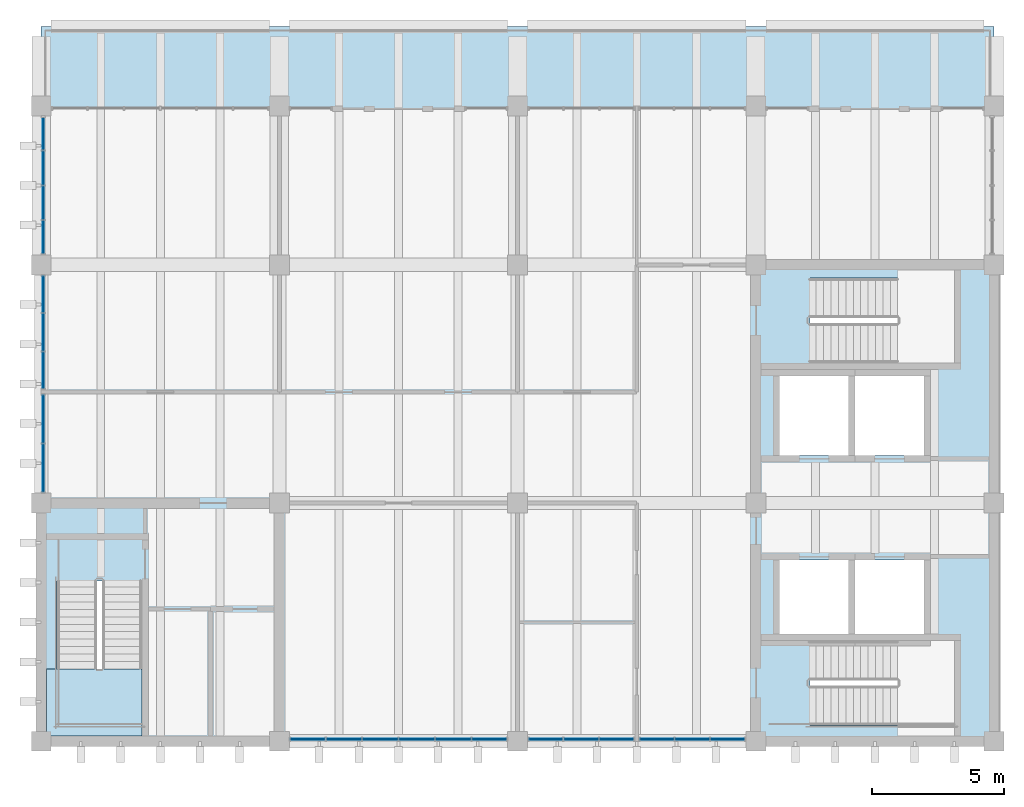
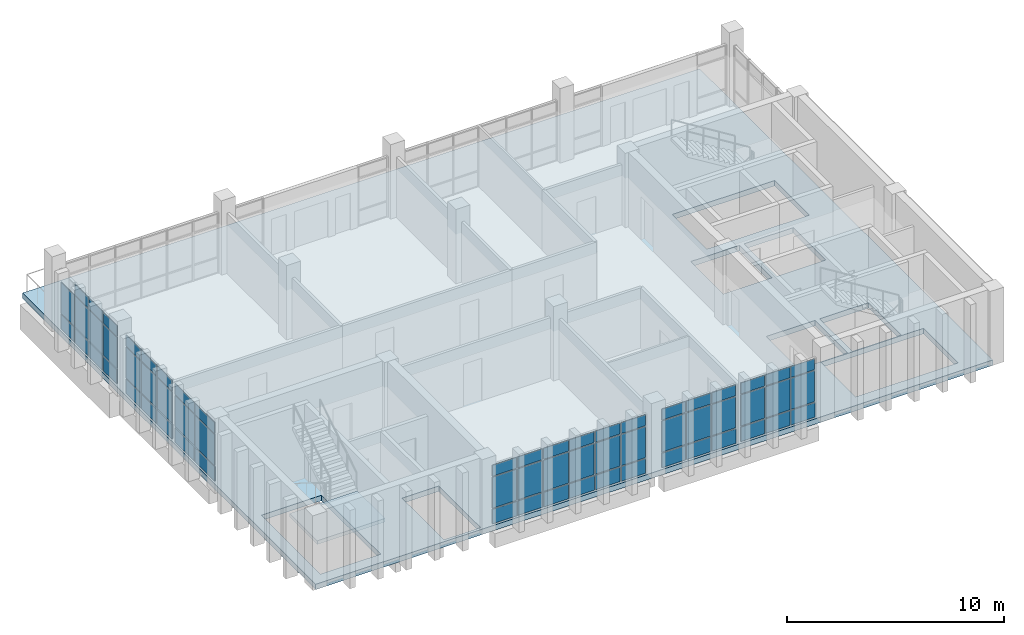
# One storey, part 7 of 15: 62 plates, 2 slabs, 7 elements without a shape of their own.
"""IFC4 building model written with IfcOpenShell, lengths in metres."""

from ifc_helpers import new_model, si_unit, direction, frame, origin, origin_2d, place, context, subcontext, project, spatial, polyline, rectangle, outline, extrude, material, layer, layer_set, type_object, element, aggregate, save


model = new_model("IFC4")

# Units and contexts
model_context = context("Model", 3, precision=1e-05, world=origin(), true_north=direction((0.0, 1.0)))
body_context = subcontext(model_context, "Body", "Model", "MODEL_VIEW")
ifc_project = project(units=[si_unit("LENGTHUNIT", "METRE"), si_unit("AREAUNIT", "SQUARE_METRE"), si_unit("VOLUMEUNIT", "CUBIC_METRE"), si_unit("PLANEANGLEUNIT", "RADIAN"), si_unit("MASSUNIT", "GRAM", prefix="KILO")], contexts=[model_context])

# Site, building, storey
site_placement = place(None, origin())
site = spatial("IfcSite", under=ifc_project, at=site_placement, CompositionType="ELEMENT")
building_placement = place(site_placement, origin())
building = spatial("IfcBuilding", under=site, at=building_placement, Name="Merrow Basin Faculty of Sciences", CompositionType="ELEMENT")
storey_placement = place(building_placement, frame((0.0, 0.0, 31.5)))
storey = spatial("IfcBuildingStorey", under=building, at=storey_placement, Name="L07", CompositionType="ELEMENT", Elevation=31.5)

# Slab
ifc_material_1 = material(Name="Concrete C40/50", Category="concrete")
ifc_layer_1 = layer(ifc_material_1, 0.300048828125)
ifc_layer_set_1 = layer_set([ifc_layer_1], Name="Floor slab 300 Concrete C40/50")
slab_type_1 = type_object("IfcSlabType", Name="Floor slab 300 Concrete C40/50", PredefinedType="FLOOR", material=ifc_layer_set_1)
slab_1_placement = place(storey_placement, frame((0.0, 0.0, -0.300048828125)))
element("IfcSlab", 1, at=slab_1_placement, inside=storey, type_object=slab_type_1, Name="SL11 floor L07 001", PredefinedType="FLOOR", context=body_context, shape_type="SweptSolid", body=[
    extrude(outline(polyline([(18.0, 169.0), (54.0, 169.0), (54.0, 142.0), (18.0, 142.0), (18.0, 169.0)]), holes=[polyline([(47.050048828125, 142.60009765625), (52.5, 142.60009765625), (52.5, 145.800048828125), (47.050048828125, 145.800048828125), (47.050048828125, 142.60009765625)]), polyline([(47.050048828125, 156.300048828125), (52.5, 156.300048828125), (52.5, 159.5), (47.050048828125, 159.5), (47.050048828125, 156.300048828125)]), polyline([(48.75, 145.85009765625), (51.35009765625, 145.85009765625), (51.35009765625, 148.85009765625), (48.75, 148.85009765625), (48.75, 145.85009765625)]), polyline([(48.75, 152.800048828125), (51.35009765625, 152.800048828125), (51.35009765625, 155.800048828125), (48.75, 155.800048828125), (48.75, 152.800048828125)]), polyline([(45.89990234375, 145.85009765625), (48.5, 145.85009765625), (48.5, 148.85009765625), (45.89990234375, 148.85009765625), (45.89990234375, 145.85009765625)]), polyline([(45.89990234375, 152.800048828125), (48.5, 152.800048828125), (48.5, 155.800048828125), (45.89990234375, 155.800048828125), (45.89990234375, 152.800048828125)]), polyline([(24.90087890625, 142.14990234375), (26.85009765625, 142.14990234375), (26.85009765625, 146.0), (24.90087890625, 146.0), (24.90087890625, 142.14990234375)]), polyline([(18.60009765625, 142.60009765625), (21.800048828125, 142.60009765625), (21.800048828125, 148.050048828125), (18.60009765625, 148.050048828125), (18.60009765625, 142.60009765625)])]), origin(), (0.0, 0.0, 1.0), 0.300048828125),
])

# Curtain wall, plates
ifc_material_2 = material(Name="Aluminium alloy 6063", Category="aluminium")
curtain_wall_type = type_object("IfcCurtainWallType", Name="Unitised curtain wall 160", PredefinedType="NOTDEFINED", material=ifc_material_2)
curtain_wall_1_placement = place(storey_placement, origin())
curtain_wall_1 = element("IfcCurtainWall", 2, at=curtain_wall_1_placement, inside=storey, type_object=curtain_wall_type, Name="W curtain wall L07 1", PredefinedType="NOTDEFINED")
ifc_material_3 = material(Name="Insulated aluminium spandrel panel", Category="aluminium")
ifc_layer_2 = layer(ifc_material_3, 0.052001953125)
ifc_layer_set_2 = layer_set([ifc_layer_2], Name="Insulated spandrel panel 52")
plate_type_1 = type_object("IfcPlateType", Name="Insulated spandrel panel 52", PredefinedType="CURTAIN_PANEL", material=ifc_layer_set_2)
plate_1_placement = place(storey_placement, frame((18.080078125, 152.327392578125, 0.06005859375), z_axis=(0.0, 0.0, 1.0), x_axis=(0.0, 1.0, 0.0)))
plate_1 = element("IfcPlate", 3, at=plate_1_placement, type_object=plate_type_1, Name="CW3 panel 1.1", PredefinedType="CURTAIN_PANEL", context=body_context, shape_type="SweptSolid", body=[
    extrude(rectangle(XDim=1.784912109375, YDim=0.052001953125, at=origin_2d()), origin(), (0.0, 0.0, 1.0), 0.81005859375),
])
plate_2_placement = place(storey_placement, frame((18.080078125, 154.172607421875, 0.06005859375), z_axis=(0.0, 0.0, 1.0), x_axis=(0.0, 1.0, 0.0)))
plate_2 = element("IfcPlate", 4, at=plate_2_placement, type_object=plate_type_1, Name="CW3 panel 2.1", PredefinedType="CURTAIN_PANEL", context=body_context, shape_type="SweptSolid", body=[
    extrude(rectangle(XDim=1.784912109375, YDim=0.052001953125, at=origin_2d()), origin(), (0.0, 0.0, 1.0), 0.81005859375),
])

curtain_wall_2_placement = place(storey_placement, origin())
curtain_wall_2 = element("IfcCurtainWall", 5, at=curtain_wall_2_placement, inside=storey, type_object=curtain_wall_type, Name="W curtain wall L07 2", PredefinedType="NOTDEFINED")
plate_3_placement = place(storey_placement, frame((18.080078125, 156.014892578125, 0.06005859375), z_axis=(0.0, 0.0, 1.0), x_axis=(0.0, 1.0, 0.0)))
plate_3 = element("IfcPlate", 6, at=plate_3_placement, type_object=plate_type_1, Name="CW3 panel 1.1", PredefinedType="CURTAIN_PANEL", context=body_context, shape_type="SweptSolid", body=[
    extrude(rectangle(XDim=1.360107421875, YDim=0.052001953125, at=origin_2d()), origin(), (0.0, 0.0, 1.0), 0.81005859375),
])
plate_4_placement = place(storey_placement, frame((18.080078125, 157.449951171875, 0.06005859375), z_axis=(0.0, 0.0, 1.0), x_axis=(0.0, 1.0, 0.0)))
plate_4 = element("IfcPlate", 7, at=plate_4_placement, type_object=plate_type_1, Name="CW3 panel 2.1", PredefinedType="CURTAIN_PANEL", context=body_context, shape_type="SweptSolid", body=[
    extrude(rectangle(XDim=1.389892578125, YDim=0.052001953125, at=origin_2d()), origin(), (0.0, 0.0, 1.0), 0.81005859375),
])
plate_5_placement = place(storey_placement, frame((18.080078125, 158.885009765625, 0.06005859375), z_axis=(0.0, 0.0, 1.0), x_axis=(0.0, 1.0, 0.0)))
plate_5 = element("IfcPlate", 8, at=plate_5_placement, type_object=plate_type_1, Name="CW3 panel 3.1", PredefinedType="CURTAIN_PANEL", context=body_context, shape_type="SweptSolid", body=[
    extrude(rectangle(XDim=1.360107421875, YDim=0.052001953125, at=origin_2d()), origin(), (0.0, 0.0, 1.0), 0.81005859375),
])

curtain_wall_3_placement = place(storey_placement, origin())
curtain_wall_3 = element("IfcCurtainWall", 9, at=curtain_wall_3_placement, inside=storey, type_object=curtain_wall_type, Name="W curtain wall L07 3", PredefinedType="NOTDEFINED")
plate_6_placement = place(storey_placement, frame((18.080078125, 161.046142578125, 0.06005859375), z_axis=(0.0, 0.0, 1.0), x_axis=(0.0, 1.0, 0.0)))
plate_6 = element("IfcPlate", 10, at=plate_6_placement, type_object=plate_type_1, Name="CW3 panel 1.1", PredefinedType="CURTAIN_PANEL", context=body_context, shape_type="SweptSolid", body=[
    extrude(rectangle(XDim=1.222412109375, YDim=0.052001953125, at=origin_2d()), origin(), (0.0, 0.0, 1.0), 0.81005859375),
])
plate_7_placement = place(storey_placement, frame((18.080078125, 162.34375, 0.06005859375), z_axis=(0.0, 0.0, 1.0), x_axis=(0.0, 1.0, 0.0)))
plate_7 = element("IfcPlate", 11, at=plate_7_placement, type_object=plate_type_1, Name="CW3 panel 2.1", PredefinedType="CURTAIN_PANEL", context=body_context, shape_type="SweptSolid", body=[
    extrude(rectangle(XDim=1.25244140625, YDim=0.052001953125, at=origin_2d()), origin(), (0.0, 0.0, 1.0), 0.81005859375),
])
plate_8_placement = place(storey_placement, frame((18.080078125, 163.65625, 0.06005859375), z_axis=(0.0, 0.0, 1.0), x_axis=(0.0, 1.0, 0.0)))
plate_8 = element("IfcPlate", 12, at=plate_8_placement, type_object=plate_type_1, Name="CW3 panel 3.1", PredefinedType="CURTAIN_PANEL", context=body_context, shape_type="SweptSolid", body=[
    extrude(rectangle(XDim=1.25244140625, YDim=0.052001953125, at=origin_2d()), origin(), (0.0, 0.0, 1.0), 0.81005859375),
])
plate_9_placement = place(storey_placement, frame((18.080078125, 164.953857421875, 0.06005859375), z_axis=(0.0, 0.0, 1.0), x_axis=(0.0, 1.0, 0.0)))
plate_9 = element("IfcPlate", 13, at=plate_9_placement, type_object=plate_type_1, Name="CW3 panel 4.1", PredefinedType="CURTAIN_PANEL", context=body_context, shape_type="SweptSolid", body=[
    extrude(rectangle(XDim=1.222412109375, YDim=0.052001953125, at=origin_2d()), origin(), (0.0, 0.0, 1.0), 0.81005859375),
])

curtain_wall_4_placement = place(storey_placement, origin())
curtain_wall_4 = element("IfcCurtainWall", 14, at=curtain_wall_4_placement, inside=storey, type_object=curtain_wall_type, Name="S curtain wall L07 1", PredefinedType="NOTDEFINED")
plate_10_placement = place(storey_placement, frame((28.077392578125, 142.080078125, 0.06005859375), z_axis=(0.0, 0.0, 1.0), x_axis=(1.0, 0.0, 0.0)))
plate_10 = element("IfcPlate", 15, at=plate_10_placement, type_object=plate_type_1, Name="CW3 panel 1.1", PredefinedType="CURTAIN_PANEL", context=body_context, shape_type="SweptSolid", body=[
    extrude(rectangle(XDim=1.284912109375, YDim=0.052001953125, at=origin_2d()), origin(), (0.0, 0.0, 1.0), 0.81005859375),
])
plate_11_placement = place(storey_placement, frame((29.4375, 142.080078125, 0.06005859375), z_axis=(0.0, 0.0, 1.0), x_axis=(1.0, 0.0, 0.0)))
plate_11 = element("IfcPlate", 16, at=plate_11_placement, type_object=plate_type_1, Name="CW3 panel 2.1", PredefinedType="CURTAIN_PANEL", context=body_context, shape_type="SweptSolid", body=[
    extrude(rectangle(XDim=1.31494140625, YDim=0.052001953125, at=origin_2d()), origin(), (0.0, 0.0, 1.0), 0.81005859375),
])
plate_12_placement = place(storey_placement, frame((30.8125, 142.080078125, 0.06005859375), z_axis=(0.0, 0.0, 1.0), x_axis=(1.0, 0.0, 0.0)))
plate_12 = element("IfcPlate", 17, at=plate_12_placement, type_object=plate_type_1, Name="CW3 panel 3.1", PredefinedType="CURTAIN_PANEL", context=body_context, shape_type="SweptSolid", body=[
    extrude(rectangle(XDim=1.31494140625, YDim=0.052001953125, at=origin_2d()), origin(), (0.0, 0.0, 1.0), 0.81005859375),
])
plate_13_placement = place(storey_placement, frame((32.1875, 142.080078125, 0.06005859375), z_axis=(0.0, 0.0, 1.0), x_axis=(1.0, 0.0, 0.0)))
plate_13 = element("IfcPlate", 18, at=plate_13_placement, type_object=plate_type_1, Name="CW3 panel 4.1", PredefinedType="CURTAIN_PANEL", context=body_context, shape_type="SweptSolid", body=[
    extrude(rectangle(XDim=1.31494140625, YDim=0.052001953125, at=origin_2d()), origin(), (0.0, 0.0, 1.0), 0.81005859375),
])
plate_14_placement = place(storey_placement, frame((33.5625, 142.080078125, 0.06005859375), z_axis=(0.0, 0.0, 1.0), x_axis=(1.0, 0.0, 0.0)))
plate_14 = element("IfcPlate", 19, at=plate_14_placement, type_object=plate_type_1, Name="CW3 panel 5.1", PredefinedType="CURTAIN_PANEL", context=body_context, shape_type="SweptSolid", body=[
    extrude(rectangle(XDim=1.31494140625, YDim=0.052001953125, at=origin_2d()), origin(), (0.0, 0.0, 1.0), 0.81005859375),
])
plate_15_placement = place(storey_placement, frame((34.922607421875, 142.080078125, 0.06005859375), z_axis=(0.0, 0.0, 1.0), x_axis=(1.0, 0.0, 0.0)))
plate_15 = element("IfcPlate", 20, at=plate_15_placement, type_object=plate_type_1, Name="CW3 panel 6.1", PredefinedType="CURTAIN_PANEL", context=body_context, shape_type="SweptSolid", body=[
    extrude(rectangle(XDim=1.284912109375, YDim=0.052001953125, at=origin_2d()), origin(), (0.0, 0.0, 1.0), 0.81005859375),
])

curtain_wall_5_placement = place(storey_placement, origin())
curtain_wall_5 = element("IfcCurtainWall", 21, at=curtain_wall_5_placement, inside=storey, type_object=curtain_wall_type, Name="S curtain wall L07 2", PredefinedType="NOTDEFINED")
plate_16_placement = place(storey_placement, frame((37.06494140625, 142.080078125, 0.06005859375), z_axis=(0.0, 0.0, 1.0), x_axis=(1.0, 0.0, 0.0)))
plate_16 = element("IfcPlate", 22, at=plate_16_placement, type_object=plate_type_1, Name="CW3 panel 1.1", PredefinedType="CURTAIN_PANEL", context=body_context, shape_type="SweptSolid", body=[
    extrude(rectangle(XDim=1.260009765625, YDim=0.052001953125, at=origin_2d()), origin(), (0.0, 0.0, 1.0), 0.81005859375),
])
plate_17_placement = place(storey_placement, frame((38.39990234375, 142.080078125, 0.06005859375), z_axis=(0.0, 0.0, 1.0), x_axis=(1.0, 0.0, 0.0)))
plate_17 = element("IfcPlate", 23, at=plate_17_placement, type_object=plate_type_1, Name="CW3 panel 2.1", PredefinedType="CURTAIN_PANEL", context=body_context, shape_type="SweptSolid", body=[
    extrude(rectangle(XDim=1.2900390625, YDim=0.052001953125, at=origin_2d()), origin(), (0.0, 0.0, 1.0), 0.81005859375),
])
plate_18_placement = place(storey_placement, frame((39.735107421875, 142.080078125, 0.06005859375), z_axis=(0.0, 0.0, 1.0), x_axis=(1.0, 0.0, 0.0)))
plate_18 = element("IfcPlate", 24, at=plate_18_placement, type_object=plate_type_1, Name="CW3 panel 3.1", PredefinedType="CURTAIN_PANEL", context=body_context, shape_type="SweptSolid", body=[
    extrude(rectangle(XDim=1.260009765625, YDim=0.052001953125, at=origin_2d()), origin(), (0.0, 0.0, 1.0), 0.81005859375),
])

curtain_wall_6_placement = place(storey_placement, origin())
curtain_wall_6 = element("IfcCurtainWall", 25, at=curtain_wall_6_placement, inside=storey, type_object=curtain_wall_type, Name="S curtain wall L07 3", PredefinedType="NOTDEFINED")
plate_19_placement = place(storey_placement, frame((41.264892578125, 142.080078125, 0.06005859375), z_axis=(0.0, 0.0, 1.0), x_axis=(1.0, 0.0, 0.0)))
plate_19 = element("IfcPlate", 26, at=plate_19_placement, type_object=plate_type_1, Name="CW3 panel 1.1", PredefinedType="CURTAIN_PANEL", context=body_context, shape_type="SweptSolid", body=[
    extrude(rectangle(XDim=1.260009765625, YDim=0.052001953125, at=origin_2d()), origin(), (0.0, 0.0, 1.0), 0.81005859375),
])
plate_20_placement = place(storey_placement, frame((42.60009765625, 142.080078125, 0.06005859375), z_axis=(0.0, 0.0, 1.0), x_axis=(1.0, 0.0, 0.0)))
plate_20 = element("IfcPlate", 27, at=plate_20_placement, type_object=plate_type_1, Name="CW3 panel 2.1", PredefinedType="CURTAIN_PANEL", context=body_context, shape_type="SweptSolid", body=[
    extrude(rectangle(XDim=1.2900390625, YDim=0.052001953125, at=origin_2d()), origin(), (0.0, 0.0, 1.0), 0.81005859375),
])
plate_21_placement = place(storey_placement, frame((43.93505859375, 142.080078125, 0.06005859375), z_axis=(0.0, 0.0, 1.0), x_axis=(1.0, 0.0, 0.0)))
plate_21 = element("IfcPlate", 28, at=plate_21_placement, type_object=plate_type_1, Name="CW3 panel 3.1", PredefinedType="CURTAIN_PANEL", context=body_context, shape_type="SweptSolid", body=[
    extrude(rectangle(XDim=1.260009765625, YDim=0.052001953125, at=origin_2d()), origin(), (0.0, 0.0, 1.0), 0.81005859375),
])

# Plate
ifc_material_4 = material(Name="Low-E double glazing", Category="glass")
ifc_layer_3 = layer(ifc_material_4, 0.028076171875)
ifc_layer_set_3 = layer_set([ifc_layer_3], Name="Low-E double glazed panel 28")
plate_type_2 = type_object("IfcPlateType", Name="Low-E double glazed panel 28", PredefinedType="CURTAIN_PANEL", material=ifc_layer_set_3)
plate_22_placement = place(storey_placement, frame((18.080078125, 152.327392578125, 0.93017578125), z_axis=(0.0, 0.0, 1.0), x_axis=(0.0, 1.0, 0.0)))
plate_22 = element("IfcPlate", 29, at=plate_22_placement, type_object=plate_type_2, Name="CW3 panel 1.2", PredefinedType="CURTAIN_PANEL", context=body_context, shape_type="SweptSolid", body=[
    extrude(rectangle(XDim=1.784912109375, YDim=0.028076171875, at=origin_2d()), origin(), (0.0, 0.0, 1.0), 1.739990234375),
])

plate_23_placement = place(storey_placement, frame((18.080078125, 152.327392578125, 2.72998046875), z_axis=(0.0, 0.0, 1.0), x_axis=(0.0, 1.0, 0.0)))
plate_23 = element("IfcPlate", 30, at=plate_23_placement, type_object=plate_type_2, Name="CW3 panel 1.3", PredefinedType="CURTAIN_PANEL", context=body_context, shape_type="SweptSolid", body=[
    extrude(rectangle(XDim=1.784912109375, YDim=0.028076171875, at=origin_2d()), origin(), (0.0, 0.0, 1.0), 0.610107421875),
])

plate_24_placement = place(storey_placement, frame((18.080078125, 154.172607421875, 0.93017578125), z_axis=(0.0, 0.0, 1.0), x_axis=(0.0, 1.0, 0.0)))
plate_24 = element("IfcPlate", 31, at=plate_24_placement, type_object=plate_type_2, Name="CW3 panel 2.2", PredefinedType="CURTAIN_PANEL", context=body_context, shape_type="SweptSolid", body=[
    extrude(rectangle(XDim=1.784912109375, YDim=0.028076171875, at=origin_2d()), origin(), (0.0, 0.0, 1.0), 1.739990234375),
])

plate_25_placement = place(storey_placement, frame((18.080078125, 154.172607421875, 2.72998046875), z_axis=(0.0, 0.0, 1.0), x_axis=(0.0, 1.0, 0.0)))
plate_25 = element("IfcPlate", 32, at=plate_25_placement, type_object=plate_type_2, Name="CW3 panel 2.3", PredefinedType="CURTAIN_PANEL", context=body_context, shape_type="SweptSolid", body=[
    extrude(rectangle(XDim=1.784912109375, YDim=0.028076171875, at=origin_2d()), origin(), (0.0, 0.0, 1.0), 0.610107421875),
])

aggregate(curtain_wall_1, [plate_1, plate_22, plate_23, plate_2, plate_24, plate_25])

plate_26_placement = place(storey_placement, frame((18.080078125, 156.014892578125, 0.93017578125), z_axis=(0.0, 0.0, 1.0), x_axis=(0.0, 1.0, 0.0)))
plate_26 = element("IfcPlate", 33, at=plate_26_placement, type_object=plate_type_2, Name="CW3 panel 1.2", PredefinedType="CURTAIN_PANEL", context=body_context, shape_type="SweptSolid", body=[
    extrude(rectangle(XDim=1.360107421875, YDim=0.028076171875, at=origin_2d()), origin(), (0.0, 0.0, 1.0), 1.739990234375),
])

plate_27_placement = place(storey_placement, frame((18.080078125, 156.014892578125, 2.72998046875), z_axis=(0.0, 0.0, 1.0), x_axis=(0.0, 1.0, 0.0)))
plate_27 = element("IfcPlate", 34, at=plate_27_placement, type_object=plate_type_2, Name="CW3 panel 1.3", PredefinedType="CURTAIN_PANEL", context=body_context, shape_type="SweptSolid", body=[
    extrude(rectangle(XDim=1.360107421875, YDim=0.028076171875, at=origin_2d()), origin(), (0.0, 0.0, 1.0), 0.610107421875),
])

plate_28_placement = place(storey_placement, frame((18.080078125, 157.449951171875, 0.93017578125), z_axis=(0.0, 0.0, 1.0), x_axis=(0.0, 1.0, 0.0)))
plate_28 = element("IfcPlate", 35, at=plate_28_placement, type_object=plate_type_2, Name="CW3 panel 2.2", PredefinedType="CURTAIN_PANEL", context=body_context, shape_type="SweptSolid", body=[
    extrude(rectangle(XDim=1.389892578125, YDim=0.028076171875, at=origin_2d()), origin(), (0.0, 0.0, 1.0), 1.739990234375),
])

plate_29_placement = place(storey_placement, frame((18.080078125, 157.449951171875, 2.72998046875), z_axis=(0.0, 0.0, 1.0), x_axis=(0.0, 1.0, 0.0)))
plate_29 = element("IfcPlate", 36, at=plate_29_placement, type_object=plate_type_2, Name="CW3 panel 2.3", PredefinedType="CURTAIN_PANEL", context=body_context, shape_type="SweptSolid", body=[
    extrude(rectangle(XDim=1.389892578125, YDim=0.028076171875, at=origin_2d()), origin(), (0.0, 0.0, 1.0), 0.610107421875),
])

plate_30_placement = place(storey_placement, frame((18.080078125, 158.885009765625, 0.93017578125), z_axis=(0.0, 0.0, 1.0), x_axis=(0.0, 1.0, 0.0)))
plate_30 = element("IfcPlate", 37, at=plate_30_placement, type_object=plate_type_2, Name="CW3 panel 3.2", PredefinedType="CURTAIN_PANEL", context=body_context, shape_type="SweptSolid", body=[
    extrude(rectangle(XDim=1.360107421875, YDim=0.028076171875, at=origin_2d()), origin(), (0.0, 0.0, 1.0), 1.739990234375),
])

plate_31_placement = place(storey_placement, frame((18.080078125, 158.885009765625, 2.72998046875), z_axis=(0.0, 0.0, 1.0), x_axis=(0.0, 1.0, 0.0)))
plate_31 = element("IfcPlate", 38, at=plate_31_placement, type_object=plate_type_2, Name="CW3 panel 3.3", PredefinedType="CURTAIN_PANEL", context=body_context, shape_type="SweptSolid", body=[
    extrude(rectangle(XDim=1.360107421875, YDim=0.028076171875, at=origin_2d()), origin(), (0.0, 0.0, 1.0), 0.610107421875),
])

aggregate(curtain_wall_2, [plate_3, plate_26, plate_27, plate_4, plate_28, plate_29, plate_5, plate_30, plate_31])

plate_32_placement = place(storey_placement, frame((18.080078125, 161.046142578125, 0.93017578125), z_axis=(0.0, 0.0, 1.0), x_axis=(0.0, 1.0, 0.0)))
plate_32 = element("IfcPlate", 39, at=plate_32_placement, type_object=plate_type_2, Name="CW3 panel 1.2", PredefinedType="CURTAIN_PANEL", context=body_context, shape_type="SweptSolid", body=[
    extrude(rectangle(XDim=1.222412109375, YDim=0.028076171875, at=origin_2d()), origin(), (0.0, 0.0, 1.0), 1.739990234375),
])

plate_33_placement = place(storey_placement, frame((18.080078125, 161.046142578125, 2.72998046875), z_axis=(0.0, 0.0, 1.0), x_axis=(0.0, 1.0, 0.0)))
plate_33 = element("IfcPlate", 40, at=plate_33_placement, type_object=plate_type_2, Name="CW3 panel 1.3", PredefinedType="CURTAIN_PANEL", context=body_context, shape_type="SweptSolid", body=[
    extrude(rectangle(XDim=1.222412109375, YDim=0.028076171875, at=origin_2d()), origin(), (0.0, 0.0, 1.0), 0.610107421875),
])

plate_34_placement = place(storey_placement, frame((18.080078125, 162.34375, 0.93017578125), z_axis=(0.0, 0.0, 1.0), x_axis=(0.0, 1.0, 0.0)))
plate_34 = element("IfcPlate", 41, at=plate_34_placement, type_object=plate_type_2, Name="CW3 panel 2.2", PredefinedType="CURTAIN_PANEL", context=body_context, shape_type="SweptSolid", body=[
    extrude(rectangle(XDim=1.25244140625, YDim=0.028076171875, at=origin_2d()), origin(), (0.0, 0.0, 1.0), 1.739990234375),
])

plate_35_placement = place(storey_placement, frame((18.080078125, 162.34375, 2.72998046875), z_axis=(0.0, 0.0, 1.0), x_axis=(0.0, 1.0, 0.0)))
plate_35 = element("IfcPlate", 42, at=plate_35_placement, type_object=plate_type_2, Name="CW3 panel 2.3", PredefinedType="CURTAIN_PANEL", context=body_context, shape_type="SweptSolid", body=[
    extrude(rectangle(XDim=1.25244140625, YDim=0.028076171875, at=origin_2d()), origin(), (0.0, 0.0, 1.0), 0.610107421875),
])

plate_36_placement = place(storey_placement, frame((18.080078125, 163.65625, 0.93017578125), z_axis=(0.0, 0.0, 1.0), x_axis=(0.0, 1.0, 0.0)))
plate_36 = element("IfcPlate", 43, at=plate_36_placement, type_object=plate_type_2, Name="CW3 panel 3.2", PredefinedType="CURTAIN_PANEL", context=body_context, shape_type="SweptSolid", body=[
    extrude(rectangle(XDim=1.25244140625, YDim=0.028076171875, at=origin_2d()), origin(), (0.0, 0.0, 1.0), 1.739990234375),
])

plate_37_placement = place(storey_placement, frame((18.080078125, 163.65625, 2.72998046875), z_axis=(0.0, 0.0, 1.0), x_axis=(0.0, 1.0, 0.0)))
plate_37 = element("IfcPlate", 44, at=plate_37_placement, type_object=plate_type_2, Name="CW3 panel 3.3", PredefinedType="CURTAIN_PANEL", context=body_context, shape_type="SweptSolid", body=[
    extrude(rectangle(XDim=1.25244140625, YDim=0.028076171875, at=origin_2d()), origin(), (0.0, 0.0, 1.0), 0.610107421875),
])

plate_38_placement = place(storey_placement, frame((18.080078125, 164.953857421875, 0.93017578125), z_axis=(0.0, 0.0, 1.0), x_axis=(0.0, 1.0, 0.0)))
plate_38 = element("IfcPlate", 45, at=plate_38_placement, type_object=plate_type_2, Name="CW3 panel 4.2", PredefinedType="CURTAIN_PANEL", context=body_context, shape_type="SweptSolid", body=[
    extrude(rectangle(XDim=1.222412109375, YDim=0.028076171875, at=origin_2d()), origin(), (0.0, 0.0, 1.0), 1.739990234375),
])

aggregate(curtain_wall_3, [plate_6, plate_32, plate_33, plate_7, plate_34, plate_35, plate_8, plate_36, plate_37, plate_9, plate_38])

plate_39_placement = place(storey_placement, frame((28.077392578125, 142.080078125, 0.93017578125), z_axis=(0.0, 0.0, 1.0), x_axis=(1.0, 0.0, 0.0)))
plate_39 = element("IfcPlate", 46, at=plate_39_placement, type_object=plate_type_2, Name="CW3 panel 1.2", PredefinedType="CURTAIN_PANEL", context=body_context, shape_type="SweptSolid", body=[
    extrude(rectangle(XDim=1.284912109375, YDim=0.028076171875, at=origin_2d()), origin(), (0.0, 0.0, 1.0), 1.739990234375),
])

plate_40_placement = place(storey_placement, frame((28.077392578125, 142.080078125, 2.72998046875), z_axis=(0.0, 0.0, 1.0), x_axis=(1.0, 0.0, 0.0)))
plate_40 = element("IfcPlate", 47, at=plate_40_placement, type_object=plate_type_2, Name="CW3 panel 1.3", PredefinedType="CURTAIN_PANEL", context=body_context, shape_type="SweptSolid", body=[
    extrude(rectangle(XDim=1.284912109375, YDim=0.028076171875, at=origin_2d()), origin(), (0.0, 0.0, 1.0), 0.610107421875),
])

plate_41_placement = place(storey_placement, frame((29.4375, 142.080078125, 0.93017578125), z_axis=(0.0, 0.0, 1.0), x_axis=(1.0, 0.0, 0.0)))
plate_41 = element("IfcPlate", 48, at=plate_41_placement, type_object=plate_type_2, Name="CW3 panel 2.2", PredefinedType="CURTAIN_PANEL", context=body_context, shape_type="SweptSolid", body=[
    extrude(rectangle(XDim=1.31494140625, YDim=0.028076171875, at=origin_2d()), origin(), (0.0, 0.0, 1.0), 1.739990234375),
])

plate_42_placement = place(storey_placement, frame((29.4375, 142.080078125, 2.72998046875), z_axis=(0.0, 0.0, 1.0), x_axis=(1.0, 0.0, 0.0)))
plate_42 = element("IfcPlate", 49, at=plate_42_placement, type_object=plate_type_2, Name="CW3 panel 2.3", PredefinedType="CURTAIN_PANEL", context=body_context, shape_type="SweptSolid", body=[
    extrude(rectangle(XDim=1.31494140625, YDim=0.028076171875, at=origin_2d()), origin(), (0.0, 0.0, 1.0), 0.610107421875),
])

plate_43_placement = place(storey_placement, frame((30.8125, 142.080078125, 0.93017578125), z_axis=(0.0, 0.0, 1.0), x_axis=(1.0, 0.0, 0.0)))
plate_43 = element("IfcPlate", 50, at=plate_43_placement, type_object=plate_type_2, Name="CW3 panel 3.2", PredefinedType="CURTAIN_PANEL", context=body_context, shape_type="SweptSolid", body=[
    extrude(rectangle(XDim=1.31494140625, YDim=0.028076171875, at=origin_2d()), origin(), (0.0, 0.0, 1.0), 1.739990234375),
])

plate_44_placement = place(storey_placement, frame((30.8125, 142.080078125, 2.72998046875), z_axis=(0.0, 0.0, 1.0), x_axis=(1.0, 0.0, 0.0)))
plate_44 = element("IfcPlate", 51, at=plate_44_placement, type_object=plate_type_2, Name="CW3 panel 3.3", PredefinedType="CURTAIN_PANEL", context=body_context, shape_type="SweptSolid", body=[
    extrude(rectangle(XDim=1.31494140625, YDim=0.028076171875, at=origin_2d()), origin(), (0.0, 0.0, 1.0), 0.610107421875),
])

plate_45_placement = place(storey_placement, frame((32.1875, 142.080078125, 0.93017578125), z_axis=(0.0, 0.0, 1.0), x_axis=(1.0, 0.0, 0.0)))
plate_45 = element("IfcPlate", 52, at=plate_45_placement, type_object=plate_type_2, Name="CW3 panel 4.2", PredefinedType="CURTAIN_PANEL", context=body_context, shape_type="SweptSolid", body=[
    extrude(rectangle(XDim=1.31494140625, YDim=0.028076171875, at=origin_2d()), origin(), (0.0, 0.0, 1.0), 1.739990234375),
])

plate_46_placement = place(storey_placement, frame((32.1875, 142.080078125, 2.72998046875), z_axis=(0.0, 0.0, 1.0), x_axis=(1.0, 0.0, 0.0)))
plate_46 = element("IfcPlate", 53, at=plate_46_placement, type_object=plate_type_2, Name="CW3 panel 4.3", PredefinedType="CURTAIN_PANEL", context=body_context, shape_type="SweptSolid", body=[
    extrude(rectangle(XDim=1.31494140625, YDim=0.028076171875, at=origin_2d()), origin(), (0.0, 0.0, 1.0), 0.610107421875),
])

plate_47_placement = place(storey_placement, frame((33.5625, 142.080078125, 0.93017578125), z_axis=(0.0, 0.0, 1.0), x_axis=(1.0, 0.0, 0.0)))
plate_47 = element("IfcPlate", 54, at=plate_47_placement, type_object=plate_type_2, Name="CW3 panel 5.2", PredefinedType="CURTAIN_PANEL", context=body_context, shape_type="SweptSolid", body=[
    extrude(rectangle(XDim=1.31494140625, YDim=0.028076171875, at=origin_2d()), origin(), (0.0, 0.0, 1.0), 1.739990234375),
])

plate_48_placement = place(storey_placement, frame((33.5625, 142.080078125, 2.72998046875), z_axis=(0.0, 0.0, 1.0), x_axis=(1.0, 0.0, 0.0)))
plate_48 = element("IfcPlate", 55, at=plate_48_placement, type_object=plate_type_2, Name="CW3 panel 5.3", PredefinedType="CURTAIN_PANEL", context=body_context, shape_type="SweptSolid", body=[
    extrude(rectangle(XDim=1.31494140625, YDim=0.028076171875, at=origin_2d()), origin(), (0.0, 0.0, 1.0), 0.610107421875),
])

plate_49_placement = place(storey_placement, frame((34.922607421875, 142.080078125, 0.93017578125), z_axis=(0.0, 0.0, 1.0), x_axis=(1.0, 0.0, 0.0)))
plate_49 = element("IfcPlate", 56, at=plate_49_placement, type_object=plate_type_2, Name="CW3 panel 6.2", PredefinedType="CURTAIN_PANEL", context=body_context, shape_type="SweptSolid", body=[
    extrude(rectangle(XDim=1.284912109375, YDim=0.028076171875, at=origin_2d()), origin(), (0.0, 0.0, 1.0), 1.739990234375),
])

plate_50_placement = place(storey_placement, frame((34.922607421875, 142.080078125, 2.72998046875), z_axis=(0.0, 0.0, 1.0), x_axis=(1.0, 0.0, 0.0)))
plate_50 = element("IfcPlate", 57, at=plate_50_placement, type_object=plate_type_2, Name="CW3 panel 6.3", PredefinedType="CURTAIN_PANEL", context=body_context, shape_type="SweptSolid", body=[
    extrude(rectangle(XDim=1.284912109375, YDim=0.028076171875, at=origin_2d()), origin(), (0.0, 0.0, 1.0), 0.610107421875),
])

aggregate(curtain_wall_4, [plate_10, plate_39, plate_40, plate_11, plate_41, plate_42, plate_12, plate_43, plate_44, plate_13, plate_45, plate_46, plate_14, plate_47, plate_48, plate_15, plate_49, plate_50])

plate_51_placement = place(storey_placement, frame((37.06494140625, 142.080078125, 0.93017578125), z_axis=(0.0, 0.0, 1.0), x_axis=(1.0, 0.0, 0.0)))
plate_51 = element("IfcPlate", 58, at=plate_51_placement, type_object=plate_type_2, Name="CW3 panel 1.2", PredefinedType="CURTAIN_PANEL", context=body_context, shape_type="SweptSolid", body=[
    extrude(rectangle(XDim=1.260009765625, YDim=0.028076171875, at=origin_2d()), origin(), (0.0, 0.0, 1.0), 1.739990234375),
])

plate_52_placement = place(storey_placement, frame((37.06494140625, 142.080078125, 2.72998046875), z_axis=(0.0, 0.0, 1.0), x_axis=(1.0, 0.0, 0.0)))
plate_52 = element("IfcPlate", 59, at=plate_52_placement, type_object=plate_type_2, Name="CW3 panel 1.3", PredefinedType="CURTAIN_PANEL", context=body_context, shape_type="SweptSolid", body=[
    extrude(rectangle(XDim=1.260009765625, YDim=0.028076171875, at=origin_2d()), origin(), (0.0, 0.0, 1.0), 0.610107421875),
])

plate_53_placement = place(storey_placement, frame((38.39990234375, 142.080078125, 0.93017578125), z_axis=(0.0, 0.0, 1.0), x_axis=(1.0, 0.0, 0.0)))
plate_53 = element("IfcPlate", 60, at=plate_53_placement, type_object=plate_type_2, Name="CW3 panel 2.2", PredefinedType="CURTAIN_PANEL", context=body_context, shape_type="SweptSolid", body=[
    extrude(rectangle(XDim=1.2900390625, YDim=0.028076171875, at=origin_2d()), origin(), (0.0, 0.0, 1.0), 1.739990234375),
])

plate_54_placement = place(storey_placement, frame((38.39990234375, 142.080078125, 2.72998046875), z_axis=(0.0, 0.0, 1.0), x_axis=(1.0, 0.0, 0.0)))
plate_54 = element("IfcPlate", 61, at=plate_54_placement, type_object=plate_type_2, Name="CW3 panel 2.3", PredefinedType="CURTAIN_PANEL", context=body_context, shape_type="SweptSolid", body=[
    extrude(rectangle(XDim=1.2900390625, YDim=0.028076171875, at=origin_2d()), origin(), (0.0, 0.0, 1.0), 0.610107421875),
])

plate_55_placement = place(storey_placement, frame((39.735107421875, 142.080078125, 0.93017578125), z_axis=(0.0, 0.0, 1.0), x_axis=(1.0, 0.0, 0.0)))
plate_55 = element("IfcPlate", 62, at=plate_55_placement, type_object=plate_type_2, Name="CW3 panel 3.2", PredefinedType="CURTAIN_PANEL", context=body_context, shape_type="SweptSolid", body=[
    extrude(rectangle(XDim=1.260009765625, YDim=0.028076171875, at=origin_2d()), origin(), (0.0, 0.0, 1.0), 1.739990234375),
])

plate_56_placement = place(storey_placement, frame((39.735107421875, 142.080078125, 2.72998046875), z_axis=(0.0, 0.0, 1.0), x_axis=(1.0, 0.0, 0.0)))
plate_56 = element("IfcPlate", 63, at=plate_56_placement, type_object=plate_type_2, Name="CW3 panel 3.3", PredefinedType="CURTAIN_PANEL", context=body_context, shape_type="SweptSolid", body=[
    extrude(rectangle(XDim=1.260009765625, YDim=0.028076171875, at=origin_2d()), origin(), (0.0, 0.0, 1.0), 0.610107421875),
])

aggregate(curtain_wall_5, [plate_16, plate_51, plate_52, plate_17, plate_53, plate_54, plate_18, plate_55, plate_56])

plate_57_placement = place(storey_placement, frame((41.264892578125, 142.080078125, 0.93017578125), z_axis=(0.0, 0.0, 1.0), x_axis=(1.0, 0.0, 0.0)))
plate_57 = element("IfcPlate", 64, at=plate_57_placement, type_object=plate_type_2, Name="CW3 panel 1.2", PredefinedType="CURTAIN_PANEL", context=body_context, shape_type="SweptSolid", body=[
    extrude(rectangle(XDim=1.260009765625, YDim=0.028076171875, at=origin_2d()), origin(), (0.0, 0.0, 1.0), 1.739990234375),
])

plate_58_placement = place(storey_placement, frame((41.264892578125, 142.080078125, 2.72998046875), z_axis=(0.0, 0.0, 1.0), x_axis=(1.0, 0.0, 0.0)))
plate_58 = element("IfcPlate", 65, at=plate_58_placement, type_object=plate_type_2, Name="CW3 panel 1.3", PredefinedType="CURTAIN_PANEL", context=body_context, shape_type="SweptSolid", body=[
    extrude(rectangle(XDim=1.260009765625, YDim=0.028076171875, at=origin_2d()), origin(), (0.0, 0.0, 1.0), 0.610107421875),
])

plate_59_placement = place(storey_placement, frame((42.60009765625, 142.080078125, 0.93017578125), z_axis=(0.0, 0.0, 1.0), x_axis=(1.0, 0.0, 0.0)))
plate_59 = element("IfcPlate", 66, at=plate_59_placement, type_object=plate_type_2, Name="CW3 panel 2.2", PredefinedType="CURTAIN_PANEL", context=body_context, shape_type="SweptSolid", body=[
    extrude(rectangle(XDim=1.2900390625, YDim=0.028076171875, at=origin_2d()), origin(), (0.0, 0.0, 1.0), 1.739990234375),
])

plate_60_placement = place(storey_placement, frame((42.60009765625, 142.080078125, 2.72998046875), z_axis=(0.0, 0.0, 1.0), x_axis=(1.0, 0.0, 0.0)))
plate_60 = element("IfcPlate", 67, at=plate_60_placement, type_object=plate_type_2, Name="CW3 panel 2.3", PredefinedType="CURTAIN_PANEL", context=body_context, shape_type="SweptSolid", body=[
    extrude(rectangle(XDim=1.2900390625, YDim=0.028076171875, at=origin_2d()), origin(), (0.0, 0.0, 1.0), 0.610107421875),
])

plate_61_placement = place(storey_placement, frame((43.93505859375, 142.080078125, 0.93017578125), z_axis=(0.0, 0.0, 1.0), x_axis=(1.0, 0.0, 0.0)))
plate_61 = element("IfcPlate", 68, at=plate_61_placement, type_object=plate_type_2, Name="CW3 panel 3.2", PredefinedType="CURTAIN_PANEL", context=body_context, shape_type="SweptSolid", body=[
    extrude(rectangle(XDim=1.260009765625, YDim=0.028076171875, at=origin_2d()), origin(), (0.0, 0.0, 1.0), 1.739990234375),
])

plate_62_placement = place(storey_placement, frame((43.93505859375, 142.080078125, 2.72998046875), z_axis=(0.0, 0.0, 1.0), x_axis=(1.0, 0.0, 0.0)))
plate_62 = element("IfcPlate", 69, at=plate_62_placement, type_object=plate_type_2, Name="CW3 panel 3.3", PredefinedType="CURTAIN_PANEL", context=body_context, shape_type="SweptSolid", body=[
    extrude(rectangle(XDim=1.260009765625, YDim=0.028076171875, at=origin_2d()), origin(), (0.0, 0.0, 1.0), 0.610107421875),
])

aggregate(curtain_wall_6, [plate_19, plate_57, plate_58, plate_20, plate_59, plate_60, plate_21, plate_61, plate_62])

# Stair, slab
ifc_material_5 = material(Name="Concrete C40/50", Category="concrete")
stair_type = type_object("IfcStairType", Name="Concrete dog-leg stair Concrete C40/50", PredefinedType="HALF_TURN_STAIR", material=ifc_material_5)
stair_placement = place(storey_placement, origin())
stair = element("IfcStair", 70, at=stair_placement, inside=storey, type_object=stair_type, Name="L07 Exit stair W", PredefinedType="HALF_TURN_STAIR")
ifc_material_6 = material(Name="Concrete C40/50", Category="concrete")
ifc_layer_4 = layer(ifc_material_6, 0.199951171875)
ifc_layer_set_4 = layer_set([ifc_layer_4], Name="Stair landing 200 Concrete C40/50")
slab_type_2 = type_object("IfcSlabType", Name="Stair landing 200 Concrete C40/50", PredefinedType="LANDING", material=ifc_layer_set_4)
slab_2_placement = place(storey_placement, frame((0.0, 0.0, 2.050048828125)))
slab_2 = element("IfcSlab", 71, at=slab_2_placement, type_object=slab_type_2, Name="ST-V5-W landing 1", PredefinedType="LANDING", context=body_context, shape_type="SweptSolid", body=[
    extrude(outline(polyline([(18.199951171875, 142.199951171875), (21.800048828125, 142.199951171875), (21.800048828125, 144.739990234375), (18.199951171875, 144.739990234375), (18.199951171875, 142.199951171875)])), origin(), (0.0, 0.0, 1.0), 0.199951171875),
])
aggregate(stair, [slab_2])

save(model, "model.ifc")
